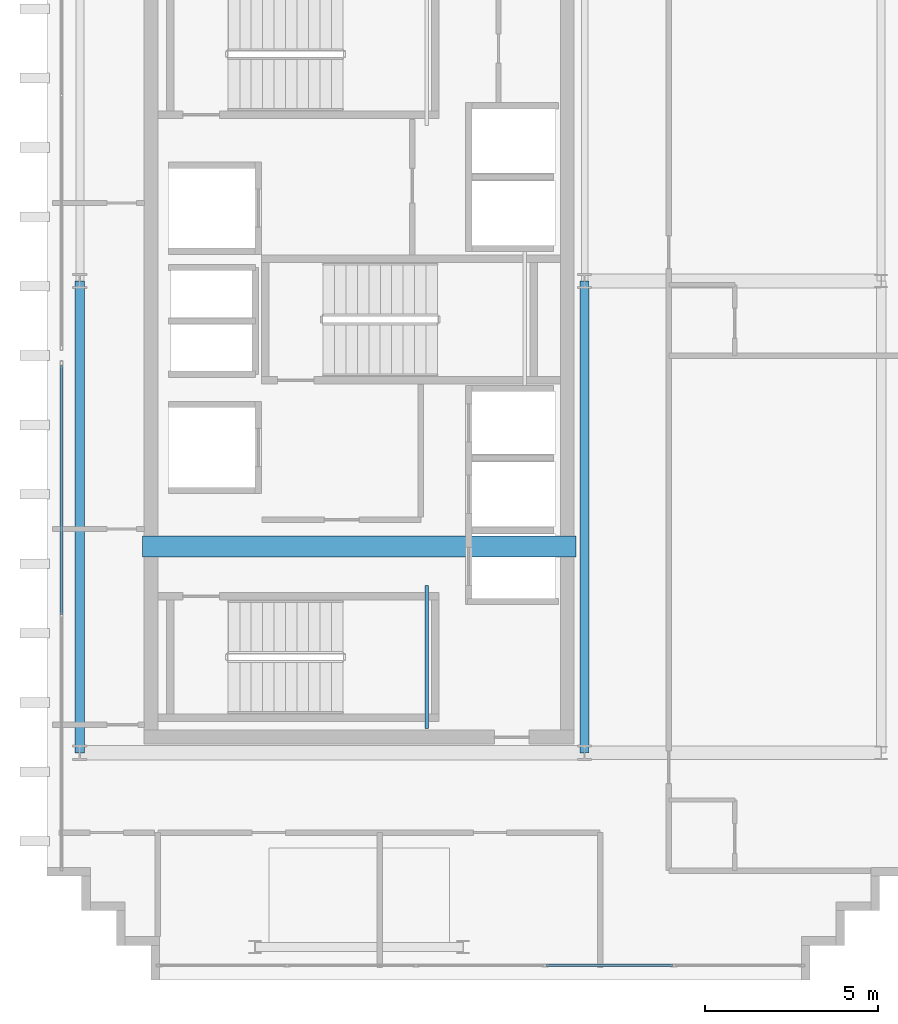
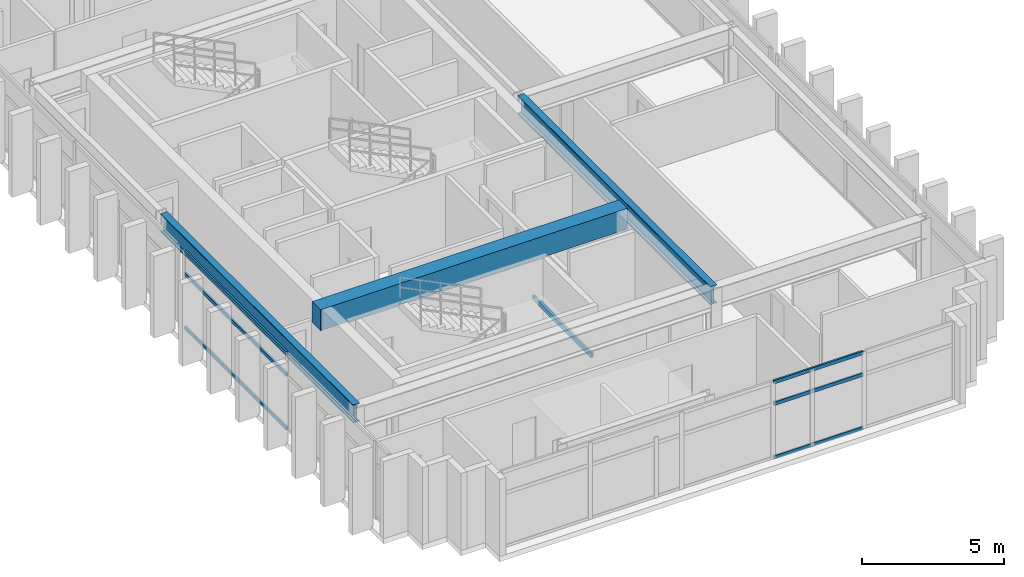
# One storey, part 3 of 15: 6 members, 4 beams, 2 elements without a shape of their own.
"""IFC4 building model written with IfcOpenShell, lengths in metres."""

from ifc_helpers import new_model, si_unit, direction, frame, origin, origin_2d, place, context, subcontext, project, spatial, rectangle, hollow_rectangle, i_section, extrude, source, transform, mapped, material, layer, layer_set, material_profile, profile_set, type_object, element, aggregate, save


model = new_model("IFC4")

# Units and contexts
model_context = context("Model", 3, precision=1e-05, world=origin(), true_north=direction((0.0, 1.0)))
body_context = subcontext(model_context, "Body", "Model", "MODEL_VIEW")
ifc_project = project(units=[si_unit("LENGTHUNIT", "METRE"), si_unit("AREAUNIT", "SQUARE_METRE"), si_unit("VOLUMEUNIT", "CUBIC_METRE"), si_unit("PLANEANGLEUNIT", "RADIAN"), si_unit("MASSUNIT", "GRAM", prefix="KILO")], contexts=[model_context])

# Site, building, storey
site_placement = place(None, origin())
site = spatial("IfcSite", under=ifc_project, at=site_placement, CompositionType="ELEMENT")
building_placement = place(site_placement, origin())
building = spatial("IfcBuilding", under=site, at=building_placement, Name="Ocotamira Hotel", CompositionType="ELEMENT")
storey_placement = place(building_placement, frame((0.0, 0.0, 297.60009765625)))
storey = spatial("IfcBuildingStorey", under=building, at=storey_placement, Name="L76", CompositionType="ELEMENT", Elevation=297.60009765625)

# Beams
ifc_material_1 = material(Name="Concrete C50/60", Category="concrete")
ifc_material_profile_1 = material_profile(ifc_material_1, rectangle(XDim=0.60009765625, YDim=0.89990234375, at=origin_2d()), Name="RC600X900")
ifc_profile_set_1 = profile_set([ifc_material_profile_1], Name="Concrete C50/60")
beam_type_1 = type_object("IfcBeamType", Name="BM-LINK-RC600", PredefinedType="LINTEL", material=ifc_profile_set_1)
shared_shape_1 = source(origin(), body_context, "Body", "SweptSolid", [
    extrude(rectangle(XDim=0.60009765625, YDim=0.89990234375, at=origin_2d()), origin(), (0.0, 0.0, 1.0), 12.5),
])
beam_1_placement = place(storey_placement, frame((10.75, 20.5, 2.869873046875), z_axis=(1.0, 0.0, 0.0), x_axis=(0.0, 1.0, 0.0)))
element("IfcBeam", 1, at=beam_1_placement, inside=storey, type_object=beam_type_1, Name="L76 West Core Coupling Beam", PredefinedType="LINTEL", context=body_context, shape_type="MappedRepresentation", body=[
    mapped(shared_shape_1, transform((0.0, 0.0, 0.0), scale=1.0)),
])
ifc_material_2 = material(Name="Steel ASTM A500 Grade C", Category="steel")
ifc_material_profile_2 = material_profile(ifc_material_2, hollow_rectangle(XDim=0.10009765625, YDim=0.199951171875, WallThickness=0.008056640625, at=origin_2d()), Name="HSS200X100X8")
ifc_profile_set_2 = profile_set([ifc_material_profile_2], Name="Steel ASTM A500 Grade C")
beam_type_2 = type_object("IfcBeamType", Name="BM-STLDG-HSS200", PredefinedType="BEAM", material=ifc_profile_set_2)
shared_shape_2 = source(origin(), body_context, "Body", "SweptSolid", [
    extrude(hollow_rectangle(XDim=0.10009765625, YDim=0.199951171875, WallThickness=0.008056640625, at=origin_2d()), origin(), (0.0, 0.0, 1.0), 4.1201171875),
])
beam_2_placement = place(storey_placement, frame((18.949951171875, 15.25, 1.5), z_axis=(0.0, 1.0, 0.0), x_axis=(-1.0, 0.0, 0.0)))
element("IfcBeam", 2, at=beam_2_placement, inside=storey, type_object=beam_type_2, Name="L76 Stair ST-1 Landing Bearer 1", PredefinedType="BEAM", context=body_context, shape_type="MappedRepresentation", body=[
    mapped(shared_shape_2, transform((0.0, 0.0, 0.0), scale=1.0)),
])
ifc_material_3 = material(Name="Steel ASTM A992 Grade 50", Category="steel")
ifc_material_profile_3 = material_profile(ifc_material_3, i_section(OverallWidth=0.26611328125, OverallDepth=0.779052734375, WebThickness=0.0166015625, FlangeThickness=0.030029296875, FilletRadius=0.01806640625, at=origin_2d()), Name="W30X148")
ifc_profile_set_3 = profile_set([ifc_material_profile_3], Name="Steel ASTM A992 Grade 50")
beam_type_3 = type_object("IfcBeamType", Name="BM-GIRD-W30X148", PredefinedType="BEAM", material=ifc_profile_set_3)
shared_shape_3 = source(origin(), body_context, "Body", "SweptSolid", [
    extrude(i_section(OverallWidth=0.26611328125, OverallDepth=0.779052734375, WebThickness=0.0166015625, FlangeThickness=0.030029296875, FilletRadius=0.01806640625, at=origin_2d()), origin(), (0.0, 0.0, 1.0), 13.599853515625),
])
for number, where, z_axis, x_axis, name in (
    (3, (8.949951171875, 14.550048828125, 2.930419921875), (0.0, 1.0, 0.0), (-1.0, 0.0, 0.0), "L76 Beam X8.95 Y14.55-28.15"),
    (4, (23.5, 14.550048828125, 2.930419921875), (0.0, 1.0, 0.0), (-1.0, 0.0, 0.0), "L76 Beam X23.5 Y14.55-28.15"),
):
    element("IfcBeam", number, at=place(storey_placement, frame(where, z_axis=z_axis, x_axis=x_axis)), inside=storey, type_object=beam_type_3, Name=name, PredefinedType="BEAM", context=body_context, shape_type="MappedRepresentation", body=[
        mapped(shared_shape_3, transform((0.0, 0.0, 0.0), scale=1.0)),
    ])

# Curtain wall, members
ifc_material_4 = material(Name="Anodised pale-metal aluminium and solar glass", Category="aluminium")
ifc_layer = layer(ifc_material_4, 0.2099609375)
ifc_layer_set = layer_set([ifc_layer], Name="Anodised pale-metal aluminium and solar glass")
curtain_wall_type = type_object("IfcCurtainWallType", Name="CW-SYS7-PEAK", PredefinedType="NOTDEFINED", material=ifc_layer_set)
curtain_wall_1_placement = place(storey_placement, origin())
curtain_wall_1 = element("IfcCurtainWall", 5, at=curtain_wall_1_placement, inside=storey, type_object=curtain_wall_type, Name="L76 Curtain Wall CW-7 CW-L76-W1", PredefinedType="NOTDEFINED")
ifc_material_5 = material(Name="Anodised pale-metal aluminium 6063-T6", Category="aluminium")
ifc_material_profile_4 = material_profile(ifc_material_5, hollow_rectangle(XDim=0.074951171875, YDim=0.14990234375, WallThickness=0.006103515625, at=origin_2d()), Name="HSS150X75X6")
ifc_profile_set_4 = profile_set([ifc_material_profile_4], Name="Anodised pale-metal aluminium 6063-T6")
member_type = type_object("IfcMemberType", Name="CWT-150X75", PredefinedType="USERDEFINED", material=ifc_profile_set_4)
shared_shape_4 = source(origin(), body_context, "Body", "SweptSolid", [
    extrude(hollow_rectangle(XDim=0.074951171875, YDim=0.14990234375, WallThickness=0.006103515625, at=origin_2d()), origin(), (0.0, 0.0, 1.0), 7.179931640625),
])
member_1_placement = place(storey_placement, frame((8.419921875, 18.5400390625, 0.037353515625), z_axis=(0.0, 1.0, 0.0), x_axis=(-1.0, 0.0, 0.0)))
member_1 = element("IfcMember", 6, at=member_1_placement, type_object=member_type, Name="CW-7 transom 2.1", ObjectType="TRANSOM", PredefinedType="USERDEFINED", context=body_context, shape_type="MappedRepresentation", body=[
    mapped(shared_shape_4, transform((0.0, 0.0, 0.0), scale=1.0)),
])
member_2_placement = place(storey_placement, frame((8.419921875, 18.5400390625, 2.349853515625), z_axis=(0.0, 1.0, 0.0), x_axis=(-1.0, 0.0, 0.0)))
member_2 = element("IfcMember", 7, at=member_2_placement, type_object=member_type, Name="CW-7 transom 2.2", ObjectType="TRANSOM", PredefinedType="USERDEFINED", context=body_context, shape_type="MappedRepresentation", body=[
    mapped(shared_shape_4, transform((0.0, 0.0, 0.0), scale=1.0)),
])
member_3_placement = place(storey_placement, frame((8.419921875, 18.5400390625, 3.282470703125), z_axis=(0.0, 1.0, 0.0), x_axis=(-1.0, 0.0, 0.0)))
member_3 = element("IfcMember", 8, at=member_3_placement, type_object=member_type, Name="CW-7 transom 2.3", ObjectType="TRANSOM", PredefinedType="USERDEFINED", context=body_context, shape_type="MappedRepresentation", body=[
    mapped(shared_shape_4, transform((0.0, 0.0, 0.0), scale=1.0)),
])
aggregate(curtain_wall_1, [member_1, member_2, member_3])

curtain_wall_2_placement = place(storey_placement, origin())
curtain_wall_2 = element("IfcCurtainWall", 9, at=curtain_wall_2_placement, inside=storey, type_object=curtain_wall_type, Name="L76 Curtain Wall CW-7 CW-L76-S1", PredefinedType="NOTDEFINED")
shared_shape_5 = source(origin(), body_context, "Body", "SweptSolid", [
    extrude(hollow_rectangle(XDim=0.074951171875, YDim=0.14990234375, WallThickness=0.006103515625, at=origin_2d()), origin(), (0.0, 0.0, 1.0), 3.64013671875),
])
member_4_placement = place(storey_placement, frame((22.39990234375, 8.419921875, 0.037353515625), z_axis=(1.0, 0.0, 0.0), x_axis=(0.0, 1.0, 0.0)))
member_4 = element("IfcMember", 10, at=member_4_placement, type_object=member_type, Name="CW-7 transom 4.1", ObjectType="TRANSOM", PredefinedType="USERDEFINED", context=body_context, shape_type="MappedRepresentation", body=[
    mapped(shared_shape_5, transform((0.0, 0.0, 0.0), scale=1.0)),
])
member_5_placement = place(storey_placement, frame((22.39990234375, 8.419921875, 2.349853515625), z_axis=(1.0, 0.0, 0.0), x_axis=(0.0, 1.0, 0.0)))
member_5 = element("IfcMember", 11, at=member_5_placement, type_object=member_type, Name="CW-7 transom 4.2", ObjectType="TRANSOM", PredefinedType="USERDEFINED", context=body_context, shape_type="MappedRepresentation", body=[
    mapped(shared_shape_5, transform((0.0, 0.0, 0.0), scale=1.0)),
])
member_6_placement = place(storey_placement, frame((22.39990234375, 8.419921875, 3.282470703125), z_axis=(1.0, 0.0, 0.0), x_axis=(0.0, 1.0, 0.0)))
member_6 = element("IfcMember", 12, at=member_6_placement, type_object=member_type, Name="CW-7 transom 4.3", ObjectType="TRANSOM", PredefinedType="USERDEFINED", context=body_context, shape_type="MappedRepresentation", body=[
    mapped(shared_shape_5, transform((0.0, 0.0, 0.0), scale=1.0)),
])
aggregate(curtain_wall_2, [member_4, member_5, member_6])

save(model, "model.ifc")
